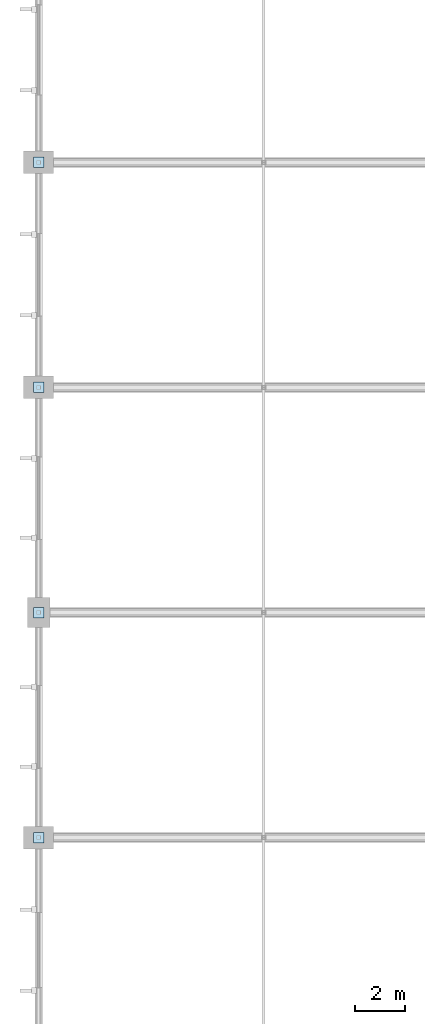
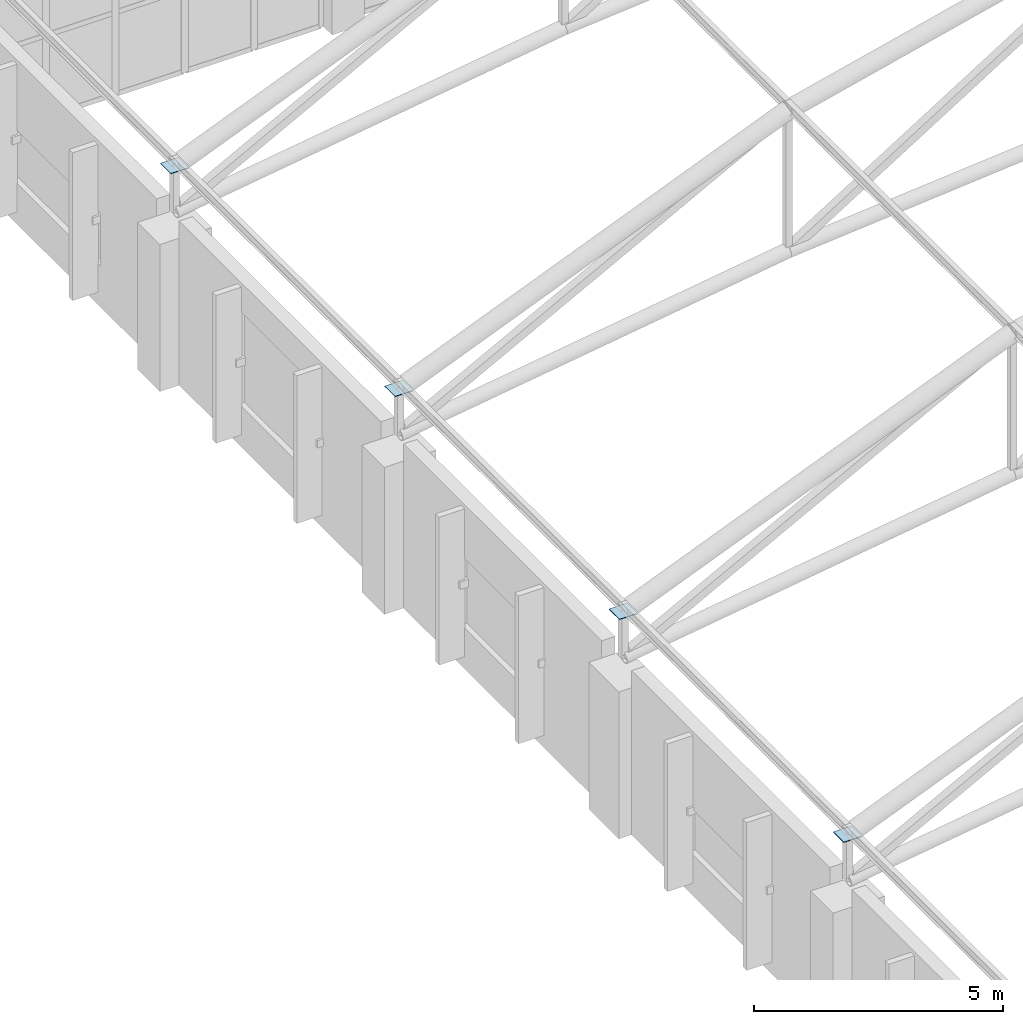
# One storey, part 130 of 167: 4 plates.
"""IFC4 building model written with IfcOpenShell, lengths in metres."""

from ifc_helpers import new_model, si_unit, direction, frame, origin, origin_2d, place, context, subcontext, project, spatial, rectangle, extrude, material, layer, layer_set, type_object, element, save


model = new_model("IFC4")

# Units and contexts
model_context = context("Model", 3, precision=1e-05, world=origin(), true_north=direction((0.0, 1.0)))
body_context = subcontext(model_context, "Body", "Model", "MODEL_VIEW")
ifc_project = project(units=[si_unit("LENGTHUNIT", "METRE"), si_unit("AREAUNIT", "SQUARE_METRE"), si_unit("VOLUMEUNIT", "CUBIC_METRE"), si_unit("PLANEANGLEUNIT", "RADIAN"), si_unit("MASSUNIT", "GRAM", prefix="KILO")], contexts=[model_context])

# Site, building, storey
site_placement = place(None, origin())
site = spatial("IfcSite", under=ifc_project, at=site_placement, CompositionType="ELEMENT")
building_placement = place(site_placement, origin())
building = spatial("IfcBuilding", under=site, at=building_placement, Name="Dornveld Trade and Exhibition Forum", CompositionType="ELEMENT")
storey_placement = place(building_placement, frame((0.0, 0.0, 16.800048828125)))
storey = spatial("IfcBuildingStorey", under=building, at=storey_placement, Name="L03", CompositionType="ELEMENT", Elevation=16.800048828125)

# Plates
ifc_material = material(Name="Steel S355J2", Category="steel")
ifc_layer = layer(ifc_material, 0.01611328125)
ifc_layer_set = layer_set([ifc_layer], Name="Steel S355J2")
plate_type = type_object("IfcPlateType", Name="PL-CAP-420x16", PredefinedType="SHEET", material=ifc_layer_set)
for number, where, z_axis, x_axis, name in (
    (1, (27.0, 99.0, 5.0419921875), (0.0, 0.0, 1.0), (1.0, 0.0, 0.0), "H3 truss 8 hollow end cap 1"),
    (2, (27.0, 108.0, 5.0419921875), (0.0, 0.0, 1.0), (1.0, 0.0, 0.0), "H3 truss 9 hollow end cap 1"),
    (3, (27.0, 117.0, 5.0419921875), (0.0, 0.0, 1.0), (1.0, 0.0, 0.0), "H3 truss 10 hollow end cap 1"),
    (4, (27.0, 126.0, 5.0419921875), (0.0, 0.0, 1.0), (1.0, 0.0, 0.0), "H3 truss 11 hollow end cap 1"),
):
    element("IfcPlate", number, at=place(storey_placement, frame(where, z_axis=z_axis, x_axis=x_axis)), inside=storey, type_object=plate_type, Name=name, PredefinedType="SHEET", context=body_context, shape_type="SweptSolid", body=[
        extrude(rectangle(XDim=0.419921875, YDim=0.419921875, at=origin_2d()), origin(), (0.0, 0.0, 1.0), 0.01611328125),
    ])

save(model, "model.ifc")
